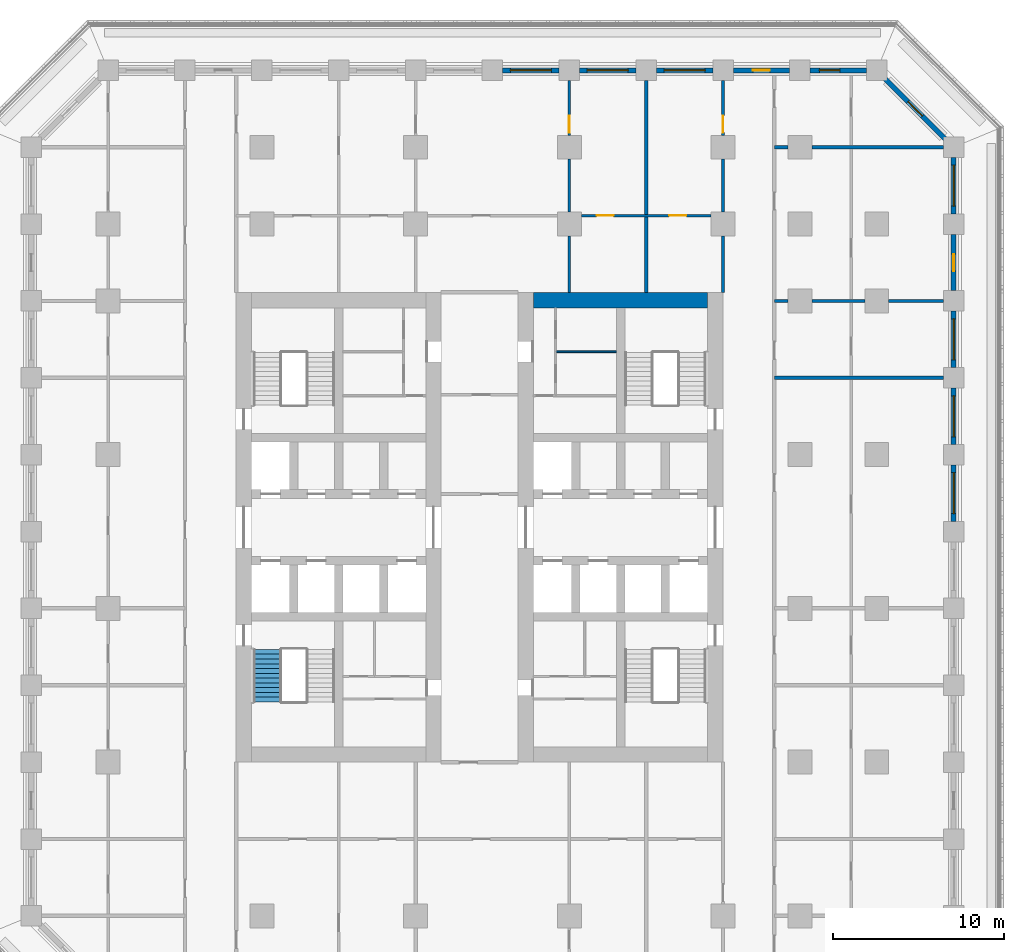
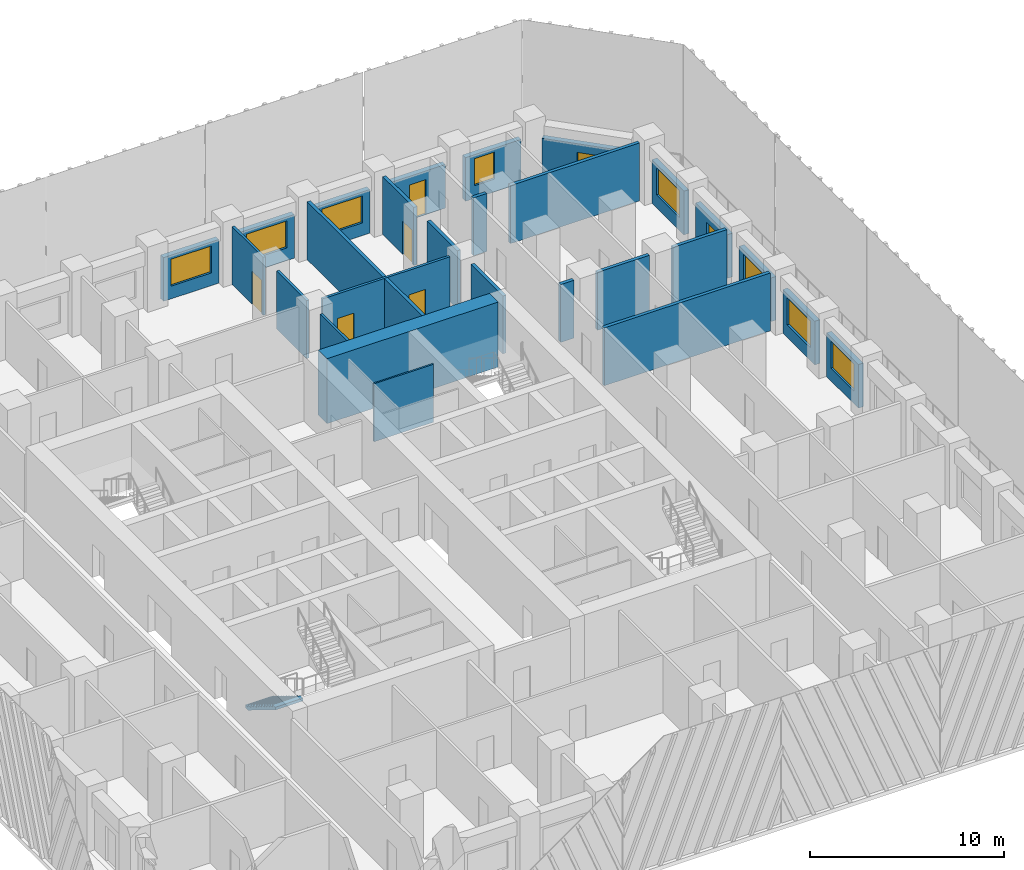
# One storey, part 9 of 20: 27 walls, 8 windows, 7 doors, 1 stair flight, 15 openings, 1 element without a shape of its own.
"""IFC4 building model written with IfcOpenShell, lengths in metres."""

import ifcopenshell
import ifcopenshell.guid

model = None  # the IFC model being written
_history = None  # IfcOwnerHistory: only IFC2X3 demands one
_inside = {}  # id of a spatial element -> (the spatial element, [elements in it])
_under = {}  # id of a project, library or spatial element -> (it, [spatial elements below it])
_declared = {}  # id of a project -> (the project, [libraries it declares])
_typed = {}  # id of a type object -> (the type object, [elements of that type])
_made_of = {}  # id of a material, layer set ... -> (it, [elements and type objects made of it])


def new_model(schema):
    """Start an empty IFC model of exactly this schema.

    Asked for "IFC4X3", IfcOpenShell would pick the latest addendum, in which some entities
    have other attributes; the version numbers below select the first issue.
    IFC2X3 requires an IfcOwnerHistory on every rooted entity: one is made here for all.
    """
    global model, _history
    if schema == "IFC4X3":
        model = ifcopenshell.file(schema_version=(4, 3, 0, 0))
    else:
        model = ifcopenshell.file(schema=schema)
    _inside.clear()
    _under.clear()
    _declared.clear()
    _typed.clear()
    _made_of.clear()
    _history = None
    if model.schema == "IFC2X3":
        org = make("IfcOrganization", Name="unknown")
        user = make(
            "IfcPersonAndOrganization",
            ThePerson=make("IfcPerson", FamilyName="unknown"),
            TheOrganization=org,
        )
        app = make(
            "IfcApplication",
            ApplicationDeveloper=org,
            Version="unknown",
            ApplicationFullName="unknown",
            ApplicationIdentifier="unknown",
        )
        _history = make(
            "IfcOwnerHistory",
            OwningUser=user,
            OwningApplication=app,
            ChangeAction="ADDED",
            CreationDate=0,
        )
    return model


def make(cls, **values):
    """One entity of the class cls with the attributes given. An attribute that is None is left unset."""
    return model.create_entity(
        cls, **{name: value for name, value in values.items() if value is not None}
    )


def rooted(cls, **values):
    """An entity with a GlobalId (a new one), such as an element, a storey or a relation."""
    return make(cls, GlobalId=ifcopenshell.guid.new(), OwnerHistory=_history, **values)


def si_unit(unit_type, name, prefix=None):
    """IfcSIUnit, for example si_unit("LENGTHUNIT", "METRE", prefix="MILLI")."""
    return make("IfcSIUnit", UnitType=unit_type, Prefix=prefix, Name=name)


def assignment(units):
    """IfcUnitAssignment: the units of a project."""
    return None if units is None else make("IfcUnitAssignment", Units=units)


def point(xyz):
    """IfcCartesianPoint."""
    return None if xyz is None else make("IfcCartesianPoint", Coordinates=xyz)


def direction(xyz):
    """IfcDirection."""
    return None if xyz is None else make("IfcDirection", DirectionRatios=xyz)


def frame(location, z_axis=None, x_axis=None):
    """IfcAxis2Placement3D, a coordinate frame: its origin and axes. An axis left out is left unset."""
    return make(
        "IfcAxis2Placement3D",
        Location=point(location),
        Axis=direction(z_axis),
        RefDirection=direction(x_axis),
    )


def frame_2d(location, x_axis=None):
    """IfcAxis2Placement2D, a coordinate frame in the plane: its origin and x axis."""
    return make(
        "IfcAxis2Placement2D", Location=point(location), RefDirection=direction(x_axis)
    )


def origin():
    """The frame at (0, 0, 0) with its axes left unset."""
    return frame((0.0, 0.0, 0.0))


def place(relative_to, where):
    """IfcLocalPlacement: puts the frame where relative to a parent placement (None: the world)."""
    return make(
        "IfcLocalPlacement", PlacementRelTo=relative_to, RelativePlacement=where
    )


def context(
    kind, dimensions, precision=None, world=None, true_north=None, identifier=None
):
    """IfcGeometricRepresentationContext, for example the 3D "Model" context."""
    return make(
        "IfcGeometricRepresentationContext",
        ContextIdentifier=identifier,
        ContextType=kind,
        CoordinateSpaceDimension=dimensions,
        Precision=precision,
        WorldCoordinateSystem=world,
        TrueNorth=true_north,
    )


def subcontext(parent, identifier, kind, view, scale=None):
    """IfcGeometricRepresentationSubContext, for example "Body" below "Model"."""
    return make(
        "IfcGeometricRepresentationSubContext",
        ContextIdentifier=identifier,
        ContextType=kind,
        ParentContext=parent,
        TargetScale=scale,
        TargetView=view,
    )


def project(units=None, contexts=None):
    """IfcProject with its units and contexts."""
    return rooted(
        "IfcProject",
        Name="project",
        RepresentationContexts=contexts,
        UnitsInContext=assignment(units),
    )


def spatial(cls, under=None, at=None, **own):
    """A site, building, storey or space (cls), placed at a placement, below another one or the project."""
    s = rooted(cls, ObjectPlacement=at, **own)
    if under is not None:
        _under.setdefault(under.id(), (under, []))[1].append(s)
    return s


def polyline(points):
    """IfcPolyline through the points."""
    return make("IfcPolyline", Points=[point(p) for p in points])


def profile(cls, at=None, kind="AREA", **sizes):
    """A parametric profile (cls). Its sizes go by their IFC names, for example OverallWidth=200.0."""
    return make(cls, ProfileType=kind, Position=at, **sizes)


def rectangle(**sizes):
    """IfcRectangleProfileDef."""
    return profile("IfcRectangleProfileDef", **sizes)


def outline(outer, holes=None, kind="AREA"):
    """IfcArbitraryClosedProfileDef: a profile drawn as a closed curve; with holes, ...WithVoids."""
    if holes is None:
        return make("IfcArbitraryClosedProfileDef", ProfileType=kind, OuterCurve=outer)
    return make(
        "IfcArbitraryProfileDefWithVoids",
        ProfileType=kind,
        OuterCurve=outer,
        InnerCurves=holes,
    )


def extrude(swept, where, along, depth):
    """IfcExtrudedAreaSolid: the profile swept, set in the frame where, extruded along a direction by depth."""
    return make(
        "IfcExtrudedAreaSolid",
        SweptArea=swept,
        Position=where,
        ExtrudedDirection=direction(along),
        Depth=depth,
    )


def shape(context_of_items, identifier, shape_type, items):
    """IfcShapeRepresentation: the items that make up one representation, for example the "Body"."""
    return make(
        "IfcShapeRepresentation",
        ContextOfItems=context_of_items,
        RepresentationIdentifier=identifier,
        RepresentationType=shape_type,
        Items=items,
    )


def material(Name=None, Category=None):
    """IfcMaterial."""
    return make("IfcMaterial", Name=Name, Category=Category)


def layer(
    of_material, thickness, ventilated=None, Name=None, Category=None, Priority=None
):
    """IfcMaterialLayer: one layer of a wall or slab, of a material (None: an air gap)."""
    return make(
        "IfcMaterialLayer",
        Material=of_material,
        LayerThickness=thickness,
        IsVentilated=ventilated,
        Name=Name,
        Category=Category,
        Priority=Priority,
    )


def layer_set(layers, Name=None):
    """IfcMaterialLayerSet."""
    return make("IfcMaterialLayerSet", MaterialLayers=layers, LayerSetName=Name)


def made_of(thing, what):
    """Note that an element or type object is made of a material, layer set ...; save() writes the relation."""
    if what is not None:
        _made_of.setdefault(what.id(), (what, []))[1].append(thing)
    return thing


def type_object(cls, material=None, **own):
    """A type object (cls), such as IfcWallType, which elements share."""
    return made_of(rooted(cls, **own), material)


def element(
    cls,
    number,
    at=None,
    inside=None,
    cuts=None,
    type_object=None,
    material=None,
    context=None,
    identifier="Body",
    shape_type=None,
    held_by="IfcProductDefinitionShape",
    body=None,
    shapes=None,
    **own,
):
    """One element of the class cls, such as IfcWall. Its Tag is "e" and its number.

    at: its placement. inside: the storey or other place that contains it. cuts: it is an
    opening in that element (IfcRelVoidsElement). A single representation is given by context,
    identifier, shape_type and body (its items); several are given by shapes. held_by: the class
    of the entity that holds the representations. save() writes the other relations.
    """
    e = rooted(cls, Tag="e%d" % number, ObjectPlacement=at, **own)
    if body is not None:
        shapes = [shape(context, identifier, shape_type, body)]
    if shapes is not None:
        e.Representation = make(held_by, Representations=shapes)
    if inside is not None:
        _inside.setdefault(inside.id(), (inside, []))[1].append(e)
    if cuts is not None:
        rooted(
            "IfcRelVoidsElement", RelatingBuildingElement=cuts, RelatedOpeningElement=e
        )
    if type_object is not None:
        _typed.setdefault(type_object.id(), (type_object, []))[1].append(e)
    return made_of(e, material)


def fill(opening, filler):
    """IfcRelFillsElement: the door or window that sits in an opening."""
    return rooted(
        "IfcRelFillsElement",
        RelatingOpeningElement=opening,
        RelatedBuildingElement=filler,
    )


def aggregate(whole, parts):
    """IfcRelAggregates: a whole, such as a stair, and the parts it consists of."""
    return rooted("IfcRelAggregates", RelatingObject=whole, RelatedObjects=parts)


def save(model, path):
    """Write the relations noted so far, then the file.

    IfcRelAggregates (storeys below a building ...), IfcRelContainedInSpatialStructure (elements
    in a storey), IfcRelDefinesByType, IfcRelAssociatesMaterial and IfcRelDeclares: one each for
    every whole, place, type object, material and project.
    """
    for whole, parts in _under.values():
        aggregate(whole, parts)
    for where, things in _inside.values():
        rooted(
            "IfcRelContainedInSpatialStructure",
            RelatedElements=things,
            RelatingStructure=where,
        )
    for kind, things in _typed.values():
        rooted("IfcRelDefinesByType", RelatedObjects=things, RelatingType=kind)
    for what, things in _made_of.values():
        rooted("IfcRelAssociatesMaterial", RelatedObjects=things, RelatingMaterial=what)
    for by, libraries in _declared.values():
        rooted("IfcRelDeclares", RelatingContext=by, RelatedDefinitions=libraries)
    model.write(path)


model = new_model("IFC4")

# Units and contexts
model_context = context("Model", 3, precision=1e-05, world=origin(), true_north=direction((0.0, 1.0)))
body_context = subcontext(model_context, "Body", "Model", "MODEL_VIEW")
ifc_project = project(units=[si_unit("LENGTHUNIT", "METRE"), si_unit("AREAUNIT", "SQUARE_METRE"), si_unit("VOLUMEUNIT", "CUBIC_METRE"), si_unit("PLANEANGLEUNIT", "RADIAN"), si_unit("MASSUNIT", "GRAM", prefix="KILO")], contexts=[model_context])

# Site, building, storey
site_placement = place(None, origin())
site = spatial("IfcSite", under=ifc_project, at=site_placement, CompositionType="ELEMENT")
building_placement = place(site_placement, origin())
building = spatial("IfcBuilding", under=site, at=building_placement, Name="Corbel Stack Research Tower", CompositionType="ELEMENT")
storey_placement = place(building_placement, frame((0.0, 0.0, 98.39990234375)))
storey = spatial("IfcBuildingStorey", under=building, at=storey_placement, Name="L22", CompositionType="ELEMENT", Elevation=98.39990234375)

# Walls
ifc_material_1 = material(Name="Concrete C70/85", Category="concrete")
ifc_layer_1 = layer(ifc_material_1, 0.89990234375)
ifc_layer_set_1 = layer_set([ifc_layer_1], Name="Concrete C70/85")
wall_type_1 = type_object("IfcWallType", Name="CW-900-70", PredefinedType="SHEAR", material=ifc_layer_set_1)
wall_1_placement = place(storey_placement, frame((6.89990234375, 18.050048828125, 0.0), z_axis=(0.0, 0.0, 1.0), x_axis=(1.0, 0.0, 0.0)))
element("IfcWall", 1, at=wall_1_placement, inside=storey, type_object=wall_type_1, Name="East core wall, north end L22", PredefinedType="SHEAR", context=body_context, shape_type="SweptSolid", body=[
    extrude(rectangle(XDim=10.2001953125, YDim=0.89990234375, at=frame_2d((5.10009765625, 0.0))), origin(), (0.0, 0.0, 1.0), 4.10009765625),
])
ifc_material_2 = material(Name="Gypsum board")
ifc_layer_2 = layer(ifc_material_2, 0.10009765625)
ifc_layer_set_2 = layer_set([ifc_layer_2], Name="Gypsum board")
wall_type_2 = type_object("IfcWallType", Name="Core partition 100", PredefinedType="PARTITIONING", material=ifc_layer_set_2)
wall_2_placement = place(storey_placement, frame((8.199951171875, 15.027587890625, 0.0), z_axis=(0.0, 0.0, 1.0), x_axis=(1.0, 0.0, 0.0)))
element("IfcWall", 2, at=wall_2_placement, inside=storey, type_object=wall_type_2, Name="Core partition E", PredefinedType="PARTITIONING", context=body_context, shape_type="SweptSolid", body=[
    extrude(rectangle(XDim=3.550048828125, YDim=0.10009765625, at=frame_2d((1.77490234375, 0.0))), origin(), (0.0, 0.0, 1.0), 3.650146484375),
])

# Wall, opening, door
ifc_material_3 = material(Name="Fire-rated gypsum board partition on steel studs", Category="steel")
ifc_layer_3 = layer(ifc_material_3, 0.14990234375)
ifc_layer_set_3 = layer_set([ifc_layer_3], Name="Fire-rated gypsum board partition on steel studs")
wall_type_3 = type_object("IfcWallType", Name="Fire-rated partition 150 EI 60", PredefinedType="PARTITIONING", material=ifc_layer_set_3)
wall_3_placement = place(storey_placement, frame((9.0, 30.89990234375, 0.0), z_axis=(0.0, 0.0, 1.0), x_axis=(0.0, -1.0, 0.0)))
wall_3 = element("IfcWall", 3, at=wall_3_placement, inside=storey, type_object=wall_type_3, Name="Partition L22-021", PredefinedType="PARTITIONING", context=body_context, shape_type="SweptSolid", body=[
    extrude(rectangle(XDim=3.199951171875, YDim=0.14990234375, at=frame_2d((1.60009765625, 0.0))), origin(), (0.0, 0.0, 1.0), 3.650146484375),
])
opening_1_placement = place(wall_3_placement, frame((2.050048828125, 0.0, 0.0)))
opening_1 = element("IfcOpeningElement", 4, at=opening_1_placement, cuts=wall_3, Name="Opening B3V2-030", PredefinedType="OPENING", context=body_context, shape_type="SweptSolid", body=[
    extrude(rectangle(XDim=1.0, YDim=2.10009765625, at=frame_2d((0.5, 1.050048828125))), frame((0.0, 0.0849609375, 0.0), z_axis=(0.0, -1.0, 0.0), x_axis=(1.0, 0.0, 0.0)), (0.0, 0.0, 1.0), 0.169921875),
])
ifc_material_4 = material(Name="Painted steel fire door", Category="steel")
door_type_1 = type_object("IfcDoorType", Name="Fire door FD30S 1000 x 2100", OperationType="NOTDEFINED", PredefinedType="DOOR", material=ifc_material_4)
door_1_placement = place(opening_1_placement, origin())
door_1 = element("IfcDoor", 5, at=door_1_placement, inside=storey, type_object=door_type_1, Name="Door B3V2-030", OperationType="SINGLE_SWING_RIGHT", OverallHeight=2.10009765625, OverallWidth=1.0, PredefinedType="DOOR", context=body_context, shape_type="SweptSolid", body=[
    extrude(rectangle(XDim=1.0, YDim=2.10009765625, at=frame_2d((0.5, 1.050048828125))), frame((0.0, 0.02490234375, 0.0), z_axis=(0.0, -1.0, 0.0), x_axis=(1.0, 0.0, 0.0)), (0.0, 0.0, 1.0), 0.050048828125),
])
fill(opening_1, door_1)

# Walls
ifc_material_5 = material(Name="Fire-rated gypsum board partition on steel studs", Category="steel")
ifc_layer_4 = layer(ifc_material_5, 0.199951171875)
ifc_layer_set_4 = layer_set([ifc_layer_4], Name="Fire-rated gypsum board partition on steel studs")
wall_type_4 = type_object("IfcWallType", Name="Fire-rated partition 200 EI 60", PredefinedType="PARTITIONING", material=ifc_layer_set_4)
wall_4_placement = place(storey_placement, frame((13.5, 18.5, 0.0), z_axis=(0.0, 0.0, 1.0), x_axis=(0.0, 1.0, 0.0)))
element("IfcWall", 6, at=wall_4_placement, inside=storey, type_object=wall_type_4, Name="Partition L22-023", PredefinedType="PARTITIONING", context=body_context, shape_type="SweptSolid", body=[
    extrude(rectangle(XDim=12.39990234375, YDim=0.199951171875, at=frame_2d((6.199951171875, 0.0))), origin(), (0.0, 0.0, 1.0), 3.650146484375),
])
wall_5_placement = place(storey_placement, frame((18.0, 18.5, 0.0), z_axis=(0.0, 0.0, 1.0), x_axis=(0.0, 1.0, 0.0)))
element("IfcWall", 7, at=wall_5_placement, inside=storey, type_object=wall_type_4, Name="Partition L22-026", PredefinedType="PARTITIONING", context=body_context, shape_type="SweptSolid", body=[
    extrude(rectangle(XDim=3.300048828125, YDim=0.199951171875, at=frame_2d((1.64990234375, 0.0))), origin(), (0.0, 0.0, 1.0), 3.650146484375),
])
wall_6_placement = place(storey_placement, frame((18.0, 23.199951171875, 0.0), z_axis=(0.0, 0.0, 1.0), x_axis=(0.0, 1.0, 0.0)))
element("IfcWall", 8, at=wall_6_placement, inside=storey, type_object=wall_type_4, Name="Partition L22-027", PredefinedType="PARTITIONING", context=body_context, shape_type="SweptSolid", body=[
    extrude(rectangle(XDim=3.10009765625, YDim=0.199951171875, at=frame_2d((1.550048828125, 0.0))), origin(), (0.0, 0.0, 1.0), 3.650146484375),
])

# Wall, opening, door
wall_7_placement = place(storey_placement, frame((18.0, 27.699951171875, 0.0), z_axis=(0.0, 0.0, 1.0), x_axis=(0.0, 1.0, 0.0)))
wall_7 = element("IfcWall", 9, at=wall_7_placement, inside=storey, type_object=wall_type_4, Name="Partition L22-028", PredefinedType="PARTITIONING", context=body_context, shape_type="SweptSolid", body=[
    extrude(rectangle(XDim=3.199951171875, YDim=0.199951171875, at=frame_2d((1.60009765625, 0.0))), origin(), (0.0, 0.0, 1.0), 3.650146484375),
])
opening_2_placement = place(wall_7_placement, frame((0.14990234375, 0.0, 0.0)))
opening_2 = element("IfcOpeningElement", 10, at=opening_2_placement, cuts=wall_7, Name="Opening B3V2-033", PredefinedType="OPENING", context=body_context, shape_type="SweptSolid", body=[
    extrude(rectangle(XDim=1.0, YDim=2.10009765625, at=frame_2d((0.5, 1.050048828125))), frame((0.0, 0.10986328125, 0.0), z_axis=(0.0, -1.0, 0.0), x_axis=(1.0, 0.0, 0.0)), (0.0, 0.0, 1.0), 0.219970703125),
])
door_2_placement = place(opening_2_placement, origin())
door_2 = element("IfcDoor", 11, at=door_2_placement, inside=storey, type_object=door_type_1, Name="Door B3V2-033", OperationType="SINGLE_SWING_LEFT", OverallHeight=2.10009765625, OverallWidth=1.0, PredefinedType="DOOR", context=body_context, shape_type="SweptSolid", body=[
    extrude(rectangle(XDim=1.0, YDim=2.10009765625, at=frame_2d((0.5, 1.050048828125))), frame((0.0, 0.02490234375, 0.0), z_axis=(0.0, -1.0, 0.0), x_axis=(1.0, 0.0, 0.0)), (0.0, 0.0, 1.0), 0.050048828125),
])
fill(opening_2, door_2)

# Walls
wall_8_placement = place(storey_placement, frame((21.0, 13.5, 0.0), z_axis=(0.0, 0.0, 1.0), x_axis=(1.0, 0.0, 0.0)))
element("IfcWall", 12, at=wall_8_placement, inside=storey, type_object=wall_type_4, Name="Partition L22-048", PredefinedType="PARTITIONING", context=body_context, shape_type="SweptSolid", body=[
    extrude(rectangle(XDim=9.89990234375, YDim=0.199951171875, at=frame_2d((4.949951171875, 0.0))), origin(), (0.0, 0.0, 1.0), 3.650146484375),
])
wall_9_placement = place(storey_placement, frame((21.0, 18.0, 0.0), z_axis=(0.0, 0.0, 1.0), x_axis=(1.0, 0.0, 0.0)))
element("IfcWall", 13, at=wall_9_placement, inside=storey, type_object=wall_type_4, Name="Partition L22-051", PredefinedType="PARTITIONING", context=body_context, shape_type="SweptSolid", body=[
    extrude(rectangle(XDim=0.800048828125, YDim=0.199951171875, at=frame_2d((0.39990234375, 0.0))), origin(), (0.0, 0.0, 1.0), 3.650146484375),
])
wall_10_placement = place(storey_placement, frame((23.199951171875, 18.0, 0.0), z_axis=(0.0, 0.0, 1.0), x_axis=(1.0, 0.0, 0.0)))
element("IfcWall", 14, at=wall_10_placement, inside=storey, type_object=wall_type_4, Name="Partition L22-052", PredefinedType="PARTITIONING", context=body_context, shape_type="SweptSolid", body=[
    extrude(rectangle(XDim=3.10009765625, YDim=0.199951171875, at=frame_2d((1.550048828125, 0.0))), origin(), (0.0, 0.0, 1.0), 3.650146484375),
])
wall_11_placement = place(storey_placement, frame((27.699951171875, 18.0, 0.0), z_axis=(0.0, 0.0, 1.0), x_axis=(1.0, 0.0, 0.0)))
element("IfcWall", 15, at=wall_11_placement, inside=storey, type_object=wall_type_4, Name="Partition L22-053", PredefinedType="PARTITIONING", context=body_context, shape_type="SweptSolid", body=[
    extrude(rectangle(XDim=3.199951171875, YDim=0.199951171875, at=frame_2d((1.60009765625, 0.0))), origin(), (0.0, 0.0, 1.0), 3.650146484375),
])
wall_12_placement = place(storey_placement, frame((21.0, 27.0, 0.0), z_axis=(0.0, 0.0, 1.0), x_axis=(1.0, 0.0, 0.0)))
element("IfcWall", 16, at=wall_12_placement, inside=storey, type_object=wall_type_4, Name="Partition L22-060", PredefinedType="PARTITIONING", context=body_context, shape_type="SweptSolid", body=[
    extrude(rectangle(XDim=0.800048828125, YDim=0.199951171875, at=frame_2d((0.39990234375, 0.0))), origin(), (0.0, 0.0, 1.0), 3.650146484375),
])
wall_13_placement = place(storey_placement, frame((23.199951171875, 27.0, 0.0), z_axis=(0.0, 0.0, 1.0), x_axis=(1.0, 0.0, 0.0)))
element("IfcWall", 17, at=wall_13_placement, inside=storey, type_object=wall_type_4, Name="Partition L22-061", PredefinedType="PARTITIONING", context=body_context, shape_type="SweptSolid", body=[
    extrude(rectangle(XDim=7.699951171875, YDim=0.199951171875, at=frame_2d((3.85009765625, 0.0))), origin(), (0.0, 0.0, 1.0), 3.650146484375),
])
ifc_material_6 = material(Name="Gypsum board partition on steel studs", Category="steel")
ifc_layer_5 = layer(ifc_material_6, 0.14990234375)
ifc_layer_set_5 = layer_set([ifc_layer_5], Name="Gypsum board partition on steel studs")
wall_type_5 = type_object("IfcWallType", Name="Partition 150", PredefinedType="PARTITIONING", material=ifc_layer_set_5)
wall_14_placement = place(storey_placement, frame((9.0, 18.5, 0.0), z_axis=(0.0, 0.0, 1.0), x_axis=(0.0, 1.0, 0.0)))
element("IfcWall", 18, at=wall_14_placement, inside=storey, type_object=wall_type_5, Name="Partition L22-019", PredefinedType="PARTITIONING", context=body_context, shape_type="SweptSolid", body=[
    extrude(rectangle(XDim=3.300048828125, YDim=0.14990234375, at=frame_2d((1.64990234375, 0.0))), origin(), (0.0, 0.0, 1.0), 3.650146484375),
])
wall_15_placement = place(storey_placement, frame((9.0, 23.199951171875, 0.0), z_axis=(0.0, 0.0, 1.0), x_axis=(0.0, 1.0, 0.0)))
element("IfcWall", 19, at=wall_15_placement, inside=storey, type_object=wall_type_5, Name="Partition L22-020", PredefinedType="PARTITIONING", context=body_context, shape_type="SweptSolid", body=[
    extrude(rectangle(XDim=3.10009765625, YDim=0.14990234375, at=frame_2d((1.550048828125, 0.0))), origin(), (0.0, 0.0, 1.0), 3.650146484375),
])

# Wall, openings, doors
wall_16_placement = place(storey_placement, frame((17.300048828125, 23.0, 0.0), z_axis=(0.0, 0.0, 1.0), x_axis=(-1.0, 0.0, 0.0)))
wall_16 = element("IfcWall", 20, at=wall_16_placement, inside=storey, type_object=wall_type_5, Name="Partition L22-058", PredefinedType="PARTITIONING", context=body_context, shape_type="SweptSolid", body=[
    extrude(rectangle(XDim=7.60009765625, YDim=0.14990234375, at=frame_2d((3.800048828125, 0.0))), origin(), (0.0, 0.0, 1.0), 3.650146484375),
])
opening_3_placement = place(wall_16_placement, frame((5.699951171875, 0.0, 0.0)))
opening_3 = element("IfcOpeningElement", 21, at=opening_3_placement, cuts=wall_16, Name="Opening B3V2-045", PredefinedType="OPENING", context=body_context, shape_type="SweptSolid", body=[
    extrude(rectangle(XDim=1.0, YDim=2.10009765625, at=frame_2d((0.5, 1.050048828125))), frame((0.0, 0.0849609375, 0.0), z_axis=(0.0, -1.0, 0.0), x_axis=(1.0, 0.0, 0.0)), (0.0, 0.0, 1.0), 0.169921875),
])
opening_4_placement = place(wall_16_placement, frame((1.449951171875, 0.0, 0.0)))
opening_4 = element("IfcOpeningElement", 22, at=opening_4_placement, cuts=wall_16, Name="Opening B3V2-046", PredefinedType="OPENING", context=body_context, shape_type="SweptSolid", body=[
    extrude(rectangle(XDim=1.0, YDim=2.10009765625, at=frame_2d((0.5, 1.050048828125))), frame((0.0, 0.0849609375, 0.0), z_axis=(0.0, -1.0, 0.0), x_axis=(1.0, 0.0, 0.0)), (0.0, 0.0, 1.0), 0.169921875),
])
ifc_material_7 = material(Name="Painted timber door", Category="wood")
door_type_2 = type_object("IfcDoorType", Name="Single door 1000 x 2100", OperationType="NOTDEFINED", PredefinedType="DOOR", material=ifc_material_7)
door_3_placement = place(opening_3_placement, origin())
door_3 = element("IfcDoor", 23, at=door_3_placement, inside=storey, type_object=door_type_2, Name="Door B3V2-045", OperationType="SINGLE_SWING_RIGHT", OverallHeight=2.10009765625, OverallWidth=1.0, PredefinedType="DOOR", context=body_context, shape_type="SweptSolid", body=[
    extrude(rectangle(XDim=1.0, YDim=2.10009765625, at=frame_2d((0.5, 1.050048828125))), frame((0.0, 0.02490234375, 0.0), z_axis=(0.0, -1.0, 0.0), x_axis=(1.0, 0.0, 0.0)), (0.0, 0.0, 1.0), 0.050048828125),
])
fill(opening_3, door_3)
door_4_placement = place(opening_4_placement, origin())
door_4 = element("IfcDoor", 24, at=door_4_placement, inside=storey, type_object=door_type_2, Name="Door B3V2-046", OperationType="SINGLE_SWING_LEFT", OverallHeight=2.10009765625, OverallWidth=1.0, PredefinedType="DOOR", context=body_context, shape_type="SweptSolid", body=[
    extrude(rectangle(XDim=1.0, YDim=2.10009765625, at=frame_2d((0.5, 1.050048828125))), frame((0.0, 0.02490234375, 0.0), z_axis=(0.0, -1.0, 0.0), x_axis=(1.0, 0.0, 0.0)), (0.0, 0.0, 1.0), 0.050048828125),
])
fill(opening_4, door_4)

# Wall, opening, window
ifc_material_8 = material(Name="Concrete C45/55", Category="concrete")
ifc_layer_6 = layer(ifc_material_8, 0.300048828125)
ifc_layer_set_6 = layer_set([ifc_layer_6], Name="Concrete C45/55")
wall_type_6 = type_object("IfcWallType", Name="Terracotta-faced concrete wall 300", PredefinedType="SOLIDWALL", material=ifc_layer_set_6)
wall_17_placement = place(storey_placement, frame((31.5, 8.39990234375, 0.0), z_axis=(0.0, 0.0, 1.0), x_axis=(0.0, -1.0, 0.0)))
wall_17 = element("IfcWall", 25, at=wall_17_placement, inside=storey, type_object=wall_type_6, Name="Facade wall L22 E06", PredefinedType="SOLIDWALL", context=body_context, shape_type="SweptSolid", body=[
    extrude(rectangle(XDim=3.2998046875, YDim=0.300048828125, at=frame_2d((1.64990234375, 0.0))), origin(), (0.0, 0.0, 1.0), 2.75),
])
opening_5_placement = place(wall_17_placement, frame((0.449951171875, 0.0, 0.800048828125)))
opening_5 = element("IfcOpeningElement", 26, at=opening_5_placement, cuts=wall_17, Name="Opening W1", PredefinedType="OPENING", context=body_context, shape_type="SweptSolid", body=[
    extrude(rectangle(XDim=2.39990234375, YDim=1.699951171875, at=frame_2d((1.199951171875, 0.85009765625))), frame((0.0, 0.159912109375, 0.0), z_axis=(0.0, -1.0, 0.0), x_axis=(1.0, 0.0, 0.0)), (0.0, 0.0, 1.0), 0.320068359375),
])
ifc_material_9 = material(Name="Aluminium frame, clear double glazing", Category="aluminium")
window_type_1 = type_object("IfcWindowType", Name="Window W1 2400 x 1700", PartitioningType="SINGLE_PANEL", PredefinedType="WINDOW", material=ifc_material_9)
window_1_placement = place(opening_5_placement, origin())
window_1 = element("IfcWindow", 27, at=window_1_placement, inside=storey, type_object=window_type_1, Name="Window W1 L22 E06", OverallHeight=1.699951171875, OverallWidth=2.39990234375, PartitioningType="SINGLE_PANEL", PredefinedType="WINDOW", context=body_context, shape_type="SweptSolid", body=[
    extrude(rectangle(XDim=2.39990234375, YDim=1.699951171875, at=frame_2d((1.199951171875, 0.85009765625))), frame((0.0, 0.030029296875, 0.0), z_axis=(0.0, -1.0, 0.0), x_axis=(1.0, 0.0, 0.0)), (0.0, 0.0, 1.0), 0.06005859375),
])
fill(opening_5, window_1)

wall_18_placement = place(storey_placement, frame((31.5, 12.89990234375, 0.0), z_axis=(0.0, 0.0, 1.0), x_axis=(0.0, -1.0, 0.0)))
wall_18 = element("IfcWall", 28, at=wall_18_placement, inside=storey, type_object=wall_type_6, Name="Facade wall L22 E07", PredefinedType="SOLIDWALL", context=body_context, shape_type="SweptSolid", body=[
    extrude(rectangle(XDim=3.2998046875, YDim=0.300048828125, at=frame_2d((1.64990234375, 0.0))), origin(), (0.0, 0.0, 1.0), 2.75),
])
opening_6_placement = place(wall_18_placement, frame((0.449951171875, 0.0, 0.800048828125)))
opening_6 = element("IfcOpeningElement", 29, at=opening_6_placement, cuts=wall_18, Name="Opening W1", PredefinedType="OPENING", context=body_context, shape_type="SweptSolid", body=[
    extrude(rectangle(XDim=2.39990234375, YDim=1.699951171875, at=frame_2d((1.199951171875, 0.85009765625))), frame((0.0, 0.159912109375, 0.0), z_axis=(0.0, -1.0, 0.0), x_axis=(1.0, 0.0, 0.0)), (0.0, 0.0, 1.0), 0.320068359375),
])
window_2_placement = place(opening_6_placement, origin())
window_2 = element("IfcWindow", 30, at=window_2_placement, inside=storey, type_object=window_type_1, Name="Window W1 L22 E07", OverallHeight=1.699951171875, OverallWidth=2.39990234375, PartitioningType="SINGLE_PANEL", PredefinedType="WINDOW", context=body_context, shape_type="SweptSolid", body=[
    extrude(rectangle(XDim=2.39990234375, YDim=1.699951171875, at=frame_2d((1.199951171875, 0.85009765625))), frame((0.0, 0.030029296875, 0.0), z_axis=(0.0, -1.0, 0.0), x_axis=(1.0, 0.0, 0.0)), (0.0, 0.0, 1.0), 0.06005859375),
])
fill(opening_6, window_2)

wall_19_placement = place(storey_placement, frame((31.5, 17.39990234375, 0.0), z_axis=(0.0, 0.0, 1.0), x_axis=(0.0, -1.0, 0.0)))
wall_19 = element("IfcWall", 31, at=wall_19_placement, inside=storey, type_object=wall_type_6, Name="Facade wall L22 E08", PredefinedType="SOLIDWALL", context=body_context, shape_type="SweptSolid", body=[
    extrude(rectangle(XDim=3.2998046875, YDim=0.300048828125, at=frame_2d((1.64990234375, 0.0))), origin(), (0.0, 0.0, 1.0), 2.75),
])
opening_7_placement = place(wall_19_placement, frame((0.449951171875, 0.0, 0.800048828125)))
opening_7 = element("IfcOpeningElement", 32, at=opening_7_placement, cuts=wall_19, Name="Opening W1", PredefinedType="OPENING", context=body_context, shape_type="SweptSolid", body=[
    extrude(rectangle(XDim=2.39990234375, YDim=1.699951171875, at=frame_2d((1.199951171875, 0.85009765625))), frame((0.0, 0.159912109375, 0.0), z_axis=(0.0, -1.0, 0.0), x_axis=(1.0, 0.0, 0.0)), (0.0, 0.0, 1.0), 0.320068359375),
])
window_3_placement = place(opening_7_placement, origin())
window_3 = element("IfcWindow", 33, at=window_3_placement, inside=storey, type_object=window_type_1, Name="Window W1 L22 E08", OverallHeight=1.699951171875, OverallWidth=2.39990234375, PartitioningType="SINGLE_PANEL", PredefinedType="WINDOW", context=body_context, shape_type="SweptSolid", body=[
    extrude(rectangle(XDim=2.39990234375, YDim=1.699951171875, at=frame_2d((1.199951171875, 0.85009765625))), frame((0.0, 0.030029296875, 0.0), z_axis=(0.0, -1.0, 0.0), x_axis=(1.0, 0.0, 0.0)), (0.0, 0.0, 1.0), 0.06005859375),
])
fill(opening_7, window_3)

# Wall, opening, door
wall_20_placement = place(storey_placement, frame((31.5, 21.89990234375, 0.0), z_axis=(0.0, 0.0, 1.0), x_axis=(0.0, -1.0, 0.0)))
wall_20 = element("IfcWall", 34, at=wall_20_placement, inside=storey, type_object=wall_type_6, Name="Facade wall L22 E09", PredefinedType="SOLIDWALL", context=body_context, shape_type="SweptSolid", body=[
    extrude(rectangle(XDim=3.2998046875, YDim=0.300048828125, at=frame_2d((1.64990234375, 0.0))), origin(), (0.0, 0.0, 1.0), 2.75),
])
opening_8_placement = place(wall_20_placement, frame((1.14990234375, 0.0, 0.0)))
opening_8 = element("IfcOpeningElement", 35, at=opening_8_placement, cuts=wall_20, Name="Opening L22-B05", PredefinedType="OPENING", context=body_context, shape_type="SweptSolid", body=[
    extrude(rectangle(XDim=1.0, YDim=2.199951171875, at=frame_2d((0.5, 1.10009765625))), frame((0.0, 0.159912109375, 0.0), z_axis=(0.0, -1.0, 0.0), x_axis=(1.0, 0.0, 0.0)), (0.0, 0.0, 1.0), 0.320068359375),
])
ifc_material_10 = material(Name="Aluminium frame, clear double glazing", Category="aluminium")
door_type_3 = type_object("IfcDoorType", Name="Balcony door BD1 1000 x 2200", OperationType="NOTDEFINED", PredefinedType="DOOR", material=ifc_material_10)
door_5_placement = place(opening_8_placement, origin())
door_5 = element("IfcDoor", 36, at=door_5_placement, inside=storey, type_object=door_type_3, Name="Balcony door L22-B05", OperationType="SINGLE_SWING_LEFT", OverallHeight=2.199951171875, OverallWidth=1.0, PredefinedType="DOOR", context=body_context, shape_type="SweptSolid", body=[
    extrude(rectangle(XDim=1.0, YDim=2.199951171875, at=frame_2d((0.5, 1.10009765625))), frame((0.0, 0.02490234375, 0.0), z_axis=(0.0, -1.0, 0.0), x_axis=(1.0, 0.0, 0.0)), (0.0, 0.0, 1.0), 0.050048828125),
])
fill(opening_8, door_5)

# Wall, opening, window
wall_21_placement = place(storey_placement, frame((31.5, 26.39990234375, 0.0), z_axis=(0.0, 0.0, 1.0), x_axis=(0.0, -1.0, 0.0)))
wall_21 = element("IfcWall", 37, at=wall_21_placement, inside=storey, type_object=wall_type_6, Name="Facade wall L22 E10", PredefinedType="SOLIDWALL", context=body_context, shape_type="SweptSolid", body=[
    extrude(rectangle(XDim=3.2998046875, YDim=0.300048828125, at=frame_2d((1.64990234375, 0.0))), origin(), (0.0, 0.0, 1.0), 2.75),
])
opening_9_placement = place(wall_21_placement, frame((0.449951171875, 0.0, 0.800048828125)))
opening_9 = element("IfcOpeningElement", 38, at=opening_9_placement, cuts=wall_21, Name="Opening W1", PredefinedType="OPENING", context=body_context, shape_type="SweptSolid", body=[
    extrude(rectangle(XDim=2.39990234375, YDim=1.699951171875, at=frame_2d((1.199951171875, 0.85009765625))), frame((0.0, 0.159912109375, 0.0), z_axis=(0.0, -1.0, 0.0), x_axis=(1.0, 0.0, 0.0)), (0.0, 0.0, 1.0), 0.320068359375),
])
window_4_placement = place(opening_9_placement, origin())
window_4 = element("IfcWindow", 39, at=window_4_placement, inside=storey, type_object=window_type_1, Name="Window W1 L22 E10", OverallHeight=1.699951171875, OverallWidth=2.39990234375, PartitioningType="SINGLE_PANEL", PredefinedType="WINDOW", context=body_context, shape_type="SweptSolid", body=[
    extrude(rectangle(XDim=2.39990234375, YDim=1.699951171875, at=frame_2d((1.199951171875, 0.85009765625))), frame((0.0, 0.030029296875, 0.0), z_axis=(0.0, -1.0, 0.0), x_axis=(1.0, 0.0, 0.0)), (0.0, 0.0, 1.0), 0.06005859375),
])
fill(opening_9, window_4)

# Wall, opening, door
wall_22_placement = place(storey_placement, frame((27.493896484375, 31.006103515625, 0.0), z_axis=(0.0, 0.0, 1.0), x_axis=(0.707106781187, -0.707106781187, 0.0)))
wall_22 = element("IfcWall", 40, at=wall_22_placement, inside=storey, type_object=wall_type_6, Name="Facade wall L22 NE01", PredefinedType="SOLIDWALL", context=body_context, shape_type="SweptSolid", body=[
    extrude(rectangle(XDim=4.967041015625, YDim=0.300048828125, at=frame_2d((2.4833984375, 0.0))), origin(), (0.0, 0.0, 1.0), 2.75),
])
opening_10_placement = place(wall_22_placement, frame((1.883544921875, 0.0, 0.0)))
opening_10 = element("IfcOpeningElement", 41, at=opening_10_placement, cuts=wall_22, Name="Opening L22-B06", PredefinedType="OPENING", context=body_context, shape_type="SweptSolid", body=[
    extrude(rectangle(XDim=1.199951171875, YDim=2.199951171875, at=frame_2d((0.60009765625, 1.10009765625))), frame((0.0, 0.159912109375, 0.0), z_axis=(0.0, -1.0, 0.0), x_axis=(1.0, 0.0, 0.0)), (0.0, 0.0, 1.0), 0.320068359375),
])
ifc_material_11 = material(Name="Aluminium frame, clear double glazing", Category="aluminium")
door_type_4 = type_object("IfcDoorType", Name="Balcony door BD2 1200 x 2200", OperationType="NOTDEFINED", PredefinedType="DOOR", material=ifc_material_11)
door_6_placement = place(opening_10_placement, origin())
door_6 = element("IfcDoor", 42, at=door_6_placement, inside=storey, type_object=door_type_4, Name="Balcony door L22-B06", OperationType="SINGLE_SWING_LEFT", OverallHeight=2.199951171875, OverallWidth=1.199951171875, PredefinedType="DOOR", context=body_context, shape_type="SweptSolid", body=[
    extrude(rectangle(XDim=1.199951171875, YDim=2.199951171875, at=frame_2d((0.60009765625, 1.10009765625))), frame((0.0, 0.02490234375, 0.0), z_axis=(0.0, -1.0, 0.0), x_axis=(1.0, 0.0, 0.0)), (0.0, 0.0, 1.0), 0.050048828125),
])
fill(opening_10, door_6)

# Wall, opening, window
wall_23_placement = place(storey_placement, frame((23.10009765625, 31.5, 0.0), z_axis=(0.0, 0.0, 1.0), x_axis=(1.0, 0.0, 0.0)))
wall_23 = element("IfcWall", 43, at=wall_23_placement, inside=storey, type_object=wall_type_6, Name="Facade wall L22 N01", PredefinedType="SOLIDWALL", context=body_context, shape_type="SweptSolid", body=[
    extrude(rectangle(XDim=3.2998046875, YDim=0.300048828125, at=frame_2d((1.64990234375, 0.0))), origin(), (0.0, 0.0, 1.0), 2.75),
])
opening_11_placement = place(wall_23_placement, frame((0.53759765625, 0.0, 0.800048828125)))
opening_11 = element("IfcOpeningElement", 44, at=opening_11_placement, cuts=wall_23, Name="Opening W2", PredefinedType="OPENING", context=body_context, shape_type="SweptSolid", body=[
    extrude(rectangle(XDim=1.199951171875, YDim=1.699951171875, at=frame_2d((0.60009765625, 0.85009765625))), frame((0.0, 0.159912109375, 0.0), z_axis=(0.0, -1.0, 0.0), x_axis=(1.0, 0.0, 0.0)), (0.0, 0.0, 1.0), 0.320068359375),
])
ifc_material_12 = material(Name="Aluminium frame, clear double glazing", Category="aluminium")
window_type_2 = type_object("IfcWindowType", Name="Window W2 1200 x 1700", PartitioningType="SINGLE_PANEL", PredefinedType="WINDOW", material=ifc_material_12)
window_5_placement = place(opening_11_placement, origin())
window_5 = element("IfcWindow", 45, at=window_5_placement, inside=storey, type_object=window_type_2, Name="Window W2 L22 N01", OverallHeight=1.699951171875, OverallWidth=1.199951171875, PartitioningType="SINGLE_PANEL", PredefinedType="WINDOW", context=body_context, shape_type="SweptSolid", body=[
    extrude(rectangle(XDim=1.199951171875, YDim=1.699951171875, at=frame_2d((0.60009765625, 0.85009765625))), frame((0.0, 0.030029296875, 0.0), z_axis=(0.0, -1.0, 0.0), x_axis=(1.0, 0.0, 0.0)), (0.0, 0.0, 1.0), 0.06005859375),
])
fill(opening_11, window_5)

# Wall, opening, door
wall_24_placement = place(storey_placement, frame((18.60009765625, 31.5, 0.0), z_axis=(0.0, 0.0, 1.0), x_axis=(1.0, 0.0, 0.0)))
wall_24 = element("IfcWall", 46, at=wall_24_placement, inside=storey, type_object=wall_type_6, Name="Facade wall L22 N02", PredefinedType="SOLIDWALL", context=body_context, shape_type="SweptSolid", body=[
    extrude(rectangle(XDim=3.2998046875, YDim=0.300048828125, at=frame_2d((1.64990234375, 0.0))), origin(), (0.0, 0.0, 1.0), 2.75),
])
opening_12_placement = place(wall_24_placement, frame((1.14990234375, 0.0, 0.0)))
opening_12 = element("IfcOpeningElement", 47, at=opening_12_placement, cuts=wall_24, Name="Opening L22-B07", PredefinedType="OPENING", context=body_context, shape_type="SweptSolid", body=[
    extrude(rectangle(XDim=1.0, YDim=2.199951171875, at=frame_2d((0.5, 1.10009765625))), frame((0.0, 0.159912109375, 0.0), z_axis=(0.0, -1.0, 0.0), x_axis=(1.0, 0.0, 0.0)), (0.0, 0.0, 1.0), 0.320068359375),
])
door_7_placement = place(opening_12_placement, origin())
door_7 = element("IfcDoor", 48, at=door_7_placement, inside=storey, type_object=door_type_3, Name="Balcony door L22-B07", OperationType="SINGLE_SWING_RIGHT", OverallHeight=2.199951171875, OverallWidth=1.0, PredefinedType="DOOR", context=body_context, shape_type="SweptSolid", body=[
    extrude(rectangle(XDim=1.0, YDim=2.199951171875, at=frame_2d((0.5, 1.10009765625))), frame((0.0, 0.02490234375, 0.0), z_axis=(0.0, -1.0, 0.0), x_axis=(1.0, 0.0, 0.0)), (0.0, 0.0, 1.0), 0.050048828125),
])
fill(opening_12, door_7)

# Wall, opening, window
wall_25_placement = place(storey_placement, frame((14.10009765625, 31.5, 0.0), z_axis=(0.0, 0.0, 1.0), x_axis=(1.0, 0.0, 0.0)))
wall_25 = element("IfcWall", 49, at=wall_25_placement, inside=storey, type_object=wall_type_6, Name="Facade wall L22 N03", PredefinedType="SOLIDWALL", context=body_context, shape_type="SweptSolid", body=[
    extrude(rectangle(XDim=3.2998046875, YDim=0.300048828125, at=frame_2d((1.64990234375, 0.0))), origin(), (0.0, 0.0, 1.0), 2.75),
])
opening_13_placement = place(wall_25_placement, frame((0.449951171875, 0.0, 0.800048828125)))
opening_13 = element("IfcOpeningElement", 50, at=opening_13_placement, cuts=wall_25, Name="Opening W1", PredefinedType="OPENING", context=body_context, shape_type="SweptSolid", body=[
    extrude(rectangle(XDim=2.39990234375, YDim=1.699951171875, at=frame_2d((1.199951171875, 0.85009765625))), frame((0.0, 0.159912109375, 0.0), z_axis=(0.0, -1.0, 0.0), x_axis=(1.0, 0.0, 0.0)), (0.0, 0.0, 1.0), 0.320068359375),
])
window_6_placement = place(opening_13_placement, origin())
window_6 = element("IfcWindow", 51, at=window_6_placement, inside=storey, type_object=window_type_1, Name="Window W1 L22 N03", OverallHeight=1.699951171875, OverallWidth=2.39990234375, PartitioningType="SINGLE_PANEL", PredefinedType="WINDOW", context=body_context, shape_type="SweptSolid", body=[
    extrude(rectangle(XDim=2.39990234375, YDim=1.699951171875, at=frame_2d((1.199951171875, 0.85009765625))), frame((0.0, 0.030029296875, 0.0), z_axis=(0.0, -1.0, 0.0), x_axis=(1.0, 0.0, 0.0)), (0.0, 0.0, 1.0), 0.06005859375),
])
fill(opening_13, window_6)

wall_26_placement = place(storey_placement, frame((9.60009765625, 31.5, 0.0), z_axis=(0.0, 0.0, 1.0), x_axis=(1.0, 0.0, 0.0)))
wall_26 = element("IfcWall", 52, at=wall_26_placement, inside=storey, type_object=wall_type_6, Name="Facade wall L22 N04", PredefinedType="SOLIDWALL", context=body_context, shape_type="SweptSolid", body=[
    extrude(rectangle(XDim=3.2998046875, YDim=0.300048828125, at=frame_2d((1.64990234375, 0.0))), origin(), (0.0, 0.0, 1.0), 2.75),
])
opening_14_placement = place(wall_26_placement, frame((0.449951171875, 0.0, 0.800048828125)))
opening_14 = element("IfcOpeningElement", 53, at=opening_14_placement, cuts=wall_26, Name="Opening W1", PredefinedType="OPENING", context=body_context, shape_type="SweptSolid", body=[
    extrude(rectangle(XDim=2.39990234375, YDim=1.699951171875, at=frame_2d((1.199951171875, 0.85009765625))), frame((0.0, 0.159912109375, 0.0), z_axis=(0.0, -1.0, 0.0), x_axis=(1.0, 0.0, 0.0)), (0.0, 0.0, 1.0), 0.320068359375),
])
window_7_placement = place(opening_14_placement, origin())
window_7 = element("IfcWindow", 54, at=window_7_placement, inside=storey, type_object=window_type_1, Name="Window W1 L22 N04", OverallHeight=1.699951171875, OverallWidth=2.39990234375, PartitioningType="SINGLE_PANEL", PredefinedType="WINDOW", context=body_context, shape_type="SweptSolid", body=[
    extrude(rectangle(XDim=2.39990234375, YDim=1.699951171875, at=frame_2d((1.199951171875, 0.85009765625))), frame((0.0, 0.030029296875, 0.0), z_axis=(0.0, -1.0, 0.0), x_axis=(1.0, 0.0, 0.0)), (0.0, 0.0, 1.0), 0.06005859375),
])
fill(opening_14, window_7)

wall_27_placement = place(storey_placement, frame((5.10009765625, 31.5, 0.0), z_axis=(0.0, 0.0, 1.0), x_axis=(1.0, 0.0, 0.0)))
wall_27 = element("IfcWall", 55, at=wall_27_placement, inside=storey, type_object=wall_type_6, Name="Facade wall L22 N05", PredefinedType="SOLIDWALL", context=body_context, shape_type="SweptSolid", body=[
    extrude(rectangle(XDim=3.2998046875, YDim=0.300048828125, at=frame_2d((1.64990234375, 0.0))), origin(), (0.0, 0.0, 1.0), 2.75),
])
opening_15_placement = place(wall_27_placement, frame((0.449951171875, 0.0, 0.800048828125)))
opening_15 = element("IfcOpeningElement", 56, at=opening_15_placement, cuts=wall_27, Name="Opening W1", PredefinedType="OPENING", context=body_context, shape_type="SweptSolid", body=[
    extrude(rectangle(XDim=2.39990234375, YDim=1.699951171875, at=frame_2d((1.199951171875, 0.85009765625))), frame((0.0, 0.159912109375, 0.0), z_axis=(0.0, -1.0, 0.0), x_axis=(1.0, 0.0, 0.0)), (0.0, 0.0, 1.0), 0.320068359375),
])
window_8_placement = place(opening_15_placement, origin())
window_8 = element("IfcWindow", 57, at=window_8_placement, inside=storey, type_object=window_type_1, Name="Window W1 L22 N05", OverallHeight=1.699951171875, OverallWidth=2.39990234375, PartitioningType="SINGLE_PANEL", PredefinedType="WINDOW", context=body_context, shape_type="SweptSolid", body=[
    extrude(rectangle(XDim=2.39990234375, YDim=1.699951171875, at=frame_2d((1.199951171875, 0.85009765625))), frame((0.0, 0.030029296875, 0.0), z_axis=(0.0, -1.0, 0.0), x_axis=(1.0, 0.0, 0.0)), (0.0, 0.0, 1.0), 0.06005859375),
])
fill(opening_15, window_8)

# Stair, stair flight
ifc_material_13 = material(Name="Concrete C40/50", Category="concrete")
stair_type = type_object("IfcStairType", Name="Exit stair 24 risers", PredefinedType="HALF_TURN_STAIR", material=ifc_material_13)
stair_placement = place(storey_placement, origin())
stair = element("IfcStair", 58, at=stair_placement, inside=storey, type_object=stair_type, Name="L22 Exit stair ST-W1", PredefinedType="HALF_TURN_STAIR")
ifc_material_14 = material(Name="Concrete C40/50", Category="concrete")
stair_flight_type = type_object("IfcStairFlightType", Name="Stair flight 12 risers", PredefinedType="STRAIGHT", material=ifc_material_14)
stair_flight_placement = place(storey_placement, frame((-8.675048828125, -2.39990234375, 0.0), z_axis=(0.0, 0.0, 1.0), x_axis=(0.0, -1.0, 0.0)))
stair_flight = element("IfcStairFlight", 59, at=stair_flight_placement, type_object=stair_flight_type, Name="ST-W1 flight 1", NumberOfRisers=12, NumberOfTreads=11, PredefinedType="STRAIGHT", RiserHeight=0.170833333, TreadLength=0.28, context=body_context, shape_type="SweptSolid", body=[
    extrude(outline(polyline([(0.0, 0.0), (0.0, 0.1708984375), (0.280029296875, 0.1708984375), (0.280029296875, 0.341552734375), (0.56005859375, 0.341552734375), (0.56005859375, 0.512451171875), (0.840087890625, 0.512451171875), (0.840087890625, 0.683349609375), (1.1201171875, 0.683349609375), (1.1201171875, 0.854248046875), (1.39990234375, 0.854248046875), (1.39990234375, 1.02490234375), (1.679931640625, 1.02490234375), (1.679931640625, 1.19580078125), (1.9599609375, 1.19580078125), (1.9599609375, 1.36669921875), (2.239990234375, 1.36669921875), (2.239990234375, 1.53759765625), (2.52001953125, 1.53759765625), (2.52001953125, 1.708251953125), (2.800048828125, 1.708251953125), (2.800048828125, 1.879150390625), (3.080078125, 1.879150390625), (3.080078125, 2.050048828125), (3.080078125, 1.70361328125), (0.287841796875, 0.0), (0.0, 0.0)])), frame((0.0, 0.824951171875, 0.0), z_axis=(0.0, -1.0, 0.0), x_axis=(1.0, 0.0, 0.0)), (0.0, 0.0, 1.0), 1.64990234375),
])
aggregate(stair, [stair_flight])

save(model, "model.ifc")
